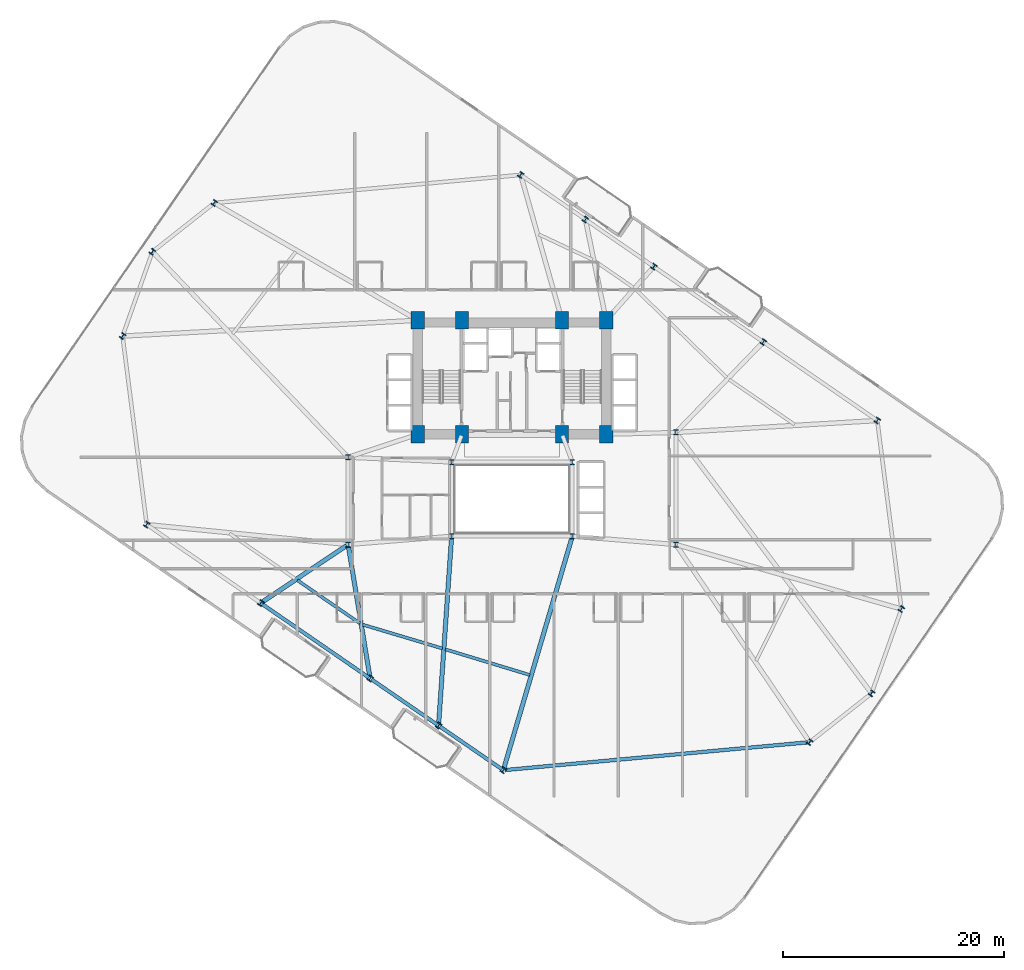
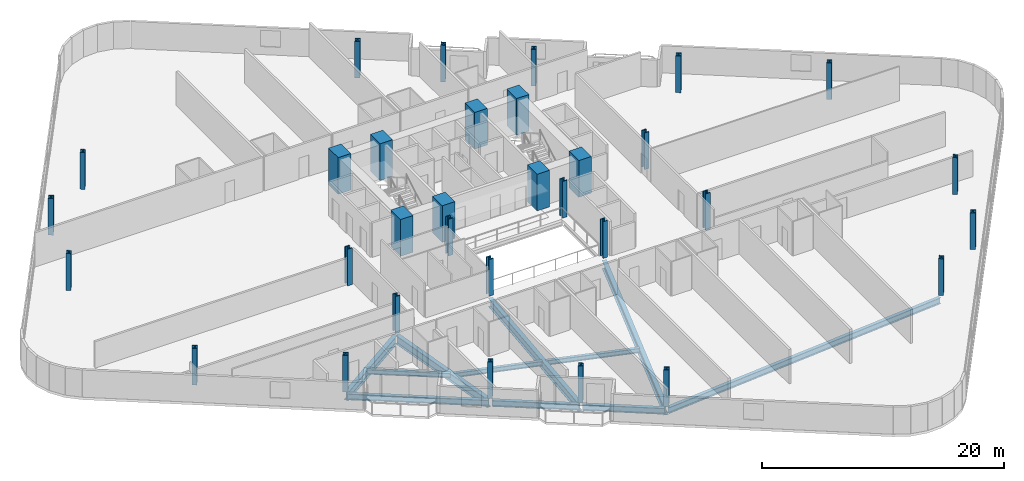
# One storey, part 1 of 25: 32 columns, 11 beams.
"""IFC4 building model written with IfcOpenShell, lengths in metres."""

from ifc_helpers import new_model, si_unit, direction, frame, origin, origin_2d, place, context, subcontext, project, spatial, rectangle, i_section, extrude, material, material_profile, profile_set, type_object, element, save


model = new_model("IFC4")

# Units and contexts
model_context = context("Model", 3, precision=1e-05, world=origin(), true_north=direction((0.0, 1.0)))
body_context = subcontext(model_context, "Body", "Model", "MODEL_VIEW")
ifc_project = project(units=[si_unit("LENGTHUNIT", "METRE"), si_unit("AREAUNIT", "SQUARE_METRE"), si_unit("VOLUMEUNIT", "CUBIC_METRE"), si_unit("PLANEANGLEUNIT", "RADIAN"), si_unit("MASSUNIT", "GRAM", prefix="KILO")], contexts=[model_context])

# Site, building, storey
site_placement = place(None, origin())
site = spatial("IfcSite", under=ifc_project, at=site_placement, CompositionType="ELEMENT")
building_placement = place(site_placement, origin())
building = spatial("IfcBuilding", under=site, at=building_placement, Name="Varnelok Gate Tower", CompositionType="ELEMENT")
storey_placement = place(building_placement, frame((0.0, 0.0, 64.0)))
storey = spatial("IfcBuildingStorey", under=building, at=storey_placement, Name="L15", CompositionType="ELEMENT", Elevation=64.0)

# Columns
ifc_material_1 = material(Name="Concrete C70/85", Category="concrete")
ifc_material_profile_1 = material_profile(ifc_material_1, rectangle(XDim=1.199951171875, YDim=1.60009765625, at=origin_2d()), Name="RC1600X1200")
ifc_profile_set_1 = profile_set([ifc_material_profile_1], Name="Concrete C70/85")
column_type_1 = type_object("IfcColumnType", Name="COL-RC1600X1200", PredefinedType="COLUMN", material=ifc_profile_set_1)
for number, where, z_axis, x_axis, name in (
    (1, (30.699951171875, 28.75, 0.0), (0.0, 0.0, 1.0), (1.0, 0.0, 0.0), "L15 Core Spine Column SC1"),
    (2, (34.679931640625, 28.75, 0.0), (0.0, 0.0, 1.0), (1.0, 0.0, 0.0), "L15 Core Spine Column SC2"),
    (3, (43.719970703125, 28.75, 0.0), (0.0, 0.0, 1.0), (1.0, 0.0, 0.0), "L15 Core Spine Column SC3"),
    (4, (47.699951171875, 28.75, 0.0), (0.0, 0.0, 1.0), (1.0, 0.0, 0.0), "L15 Core Spine Column SC4"),
    (5, (30.699951171875, 39.050048828125, 0.0), (0.0, 0.0, 1.0), (1.0, 0.0, 0.0), "L15 Core Spine Column SC5"),
    (6, (34.679931640625, 39.050048828125, 0.0), (0.0, 0.0, 1.0), (1.0, 0.0, 0.0), "L15 Core Spine Column SC6"),
    (7, (43.719970703125, 39.050048828125, 0.0), (0.0, 0.0, 1.0), (1.0, 0.0, 0.0), "L15 Core Spine Column SC7"),
    (8, (47.699951171875, 39.050048828125, 0.0), (0.0, 0.0, 1.0), (1.0, 0.0, 0.0), "L15 Core Spine Column SC8"),
):
    element("IfcColumn", number, at=place(storey_placement, frame(where, z_axis=z_axis, x_axis=x_axis)), inside=storey, type_object=column_type_1, Name=name, PredefinedType="COLUMN", context=body_context, shape_type="SweptSolid", body=[
        extrude(rectangle(XDim=1.199951171875, YDim=1.60009765625, at=origin_2d()), origin(), (0.0, 0.0, 1.0), 3.699951171875),
    ])
ifc_material_2 = material(Name="Structural Steel ASTM A992 Grade 50", Category="steel")
ifc_material_profile_2 = material_profile(ifc_material_2, i_section(OverallWidth=0.431884765625, OverallDepth=0.498046875, WebThickness=0.0556640625, FlangeThickness=0.0888671875, FilletRadius=0.02490234375, at=origin_2d()), Name="W14X500")
ifc_profile_set_2 = profile_set([ifc_material_profile_2], Name="Structural Steel ASTM A992 Grade 50")
column_type_2 = type_object("IfcColumnType", Name="COL-W14X500", PredefinedType="COLUMN", material=ifc_profile_set_2)
for number, where, z_axis, x_axis, name in (
    (9, (33.75, 19.550048828125, 0.0), (0.0, 0.0, 1.0), (1.0, 0.0, 0.0), "L15 Atrium Spine Column AC1"),
    (10, (44.64990234375, 19.550048828125, 0.0), (0.0, 0.0, 1.0), (1.0, 0.0, 0.0), "L15 Atrium Spine Column AC2"),
    (11, (33.75, 26.25, 0.0), (0.0, 0.0, 1.0), (1.0, 0.0, 0.0), "L15 Atrium Spine Column AC3"),
    (12, (44.64990234375, 26.25, 0.0), (0.0, 0.0, 1.0), (1.0, 0.0, 0.0), "L15 Atrium Spine Column AC4"),
    (13, (24.39990234375, 18.800048828125, 0.0), (0.0, 0.0, 1.0), (1.0, 0.0, 0.0), "L15 Wing Spine Column WS1"),
    (14, (24.39990234375, 26.679931640625, 0.0), (0.0, 0.0, 1.0), (1.0, 0.0, 0.0), "L15 Wing Spine Column WS2"),
    (15, (54.0, 18.800048828125, 0.0), (0.0, 0.0, 1.0), (1.0, 0.0, 0.0), "L15 Wing Spine Column ES1"),
    (16, (54.0, 28.919921875, 0.0), (0.0, 0.0, 1.0), (1.0, 0.0, 0.0), "L15 Wing Spine Column ES2"),
    (17, (6.214599609375, 20.602783203125, 0.0), (0.0, 0.0, 1.0), (0.823532597628, -0.567268949127, 0.0), "L15 B1 Perimeter Column PC01"),
    (18, (16.5087890625, 13.511962890625, 0.0), (0.0, 0.0, 1.0), (0.823532597628, -0.567268949127, 0.0), "L15 B1 Perimeter Column PC02"),
    (19, (26.39111328125, 6.70458984375, 0.0), (0.0, 0.0, 1.0), (0.823532597628, -0.567268949127, 0.0), "L15 B1 Perimeter Column PC03"),
    (20, (32.567626953125, 2.4501953125, 0.0), (0.0, 0.0, 1.0), (0.823532597628, -0.567268949127, 0.0), "L15 B1 Perimeter Column PC04"),
    (21, (38.41455078125, -1.577392578125, 0.0), (0.0, 0.0, 1.0), (0.823532597628, -0.567268949127, 0.0), "L15 B1 Perimeter Column PC05"),
    (22, (66.084716796875, 0.95263671875, 0.0), (0.0, 0.0, 1.0), (0.823532597628, -0.567268949127, 0.0), "L15 B1 Perimeter Column PC06"),
    (23, (71.669921875, 5.362548828125, 0.0), (0.0, 0.0, 1.0), (0.823532597628, -0.567268949127, 0.0), "L15 B1 Perimeter Column PC07"),
    (24, (74.366943359375, 12.976318359375, 0.0), (0.0, 0.0, 1.0), (0.823532597628, -0.567268949127, 0.0), "L15 B1 Perimeter Column PC08"),
    (25, (72.185546875, 29.997314453125, 0.0), (0.0, 0.0, 1.0), (0.823532597628, -0.567268949127, 0.0), "L15 B1 Perimeter Column PC09"),
    (26, (61.891357421875, 37.088134765625, 0.0), (0.0, 0.0, 1.0), (0.823532597628, -0.567268949127, 0.0), "L15 B1 Perimeter Column PC10"),
    (27, (52.0087890625, 43.8955078125, 0.0), (0.0, 0.0, 1.0), (0.823532597628, -0.567268949127, 0.0), "L15 B1 Perimeter Column PC11"),
    (28, (45.83251953125, 48.14990234375, 0.0), (0.0, 0.0, 1.0), (0.823532597628, -0.567268949127, 0.0), "L15 B1 Perimeter Column PC12"),
    (29, (39.9853515625, 52.177490234375, 0.0), (0.0, 0.0, 1.0), (0.823532597628, -0.567268949127, 0.0), "L15 B1 Perimeter Column PC13"),
    (30, (12.315185546875, 49.6474609375, 0.0), (0.0, 0.0, 1.0), (0.823532597628, -0.567268949127, 0.0), "L15 B1 Perimeter Column PC14"),
    (31, (6.72998046875, 45.237548828125, 0.0), (0.0, 0.0, 1.0), (0.823532597628, -0.567268949127, 0.0), "L15 B1 Perimeter Column PC15"),
    (32, (4.033203125, 37.623779296875, 0.0), (0.0, 0.0, 1.0), (0.823532597628, -0.567268949127, 0.0), "L15 B1 Perimeter Column PC16"),
):
    element("IfcColumn", number, at=place(storey_placement, frame(where, z_axis=z_axis, x_axis=x_axis)), inside=storey, type_object=column_type_2, Name=name, PredefinedType="COLUMN", context=body_context, shape_type="SweptSolid", body=[
        extrude(i_section(OverallWidth=0.431884765625, OverallDepth=0.498046875, WebThickness=0.0556640625, FlangeThickness=0.0888671875, FilletRadius=0.02490234375, at=origin_2d()), origin(), (0.0, 0.0, 1.0), 3.699951171875),
    ])

# Beams
ifc_material_profile_3 = material_profile(ifc_material_2, i_section(OverallWidth=0.280029296875, OverallDepth=0.462890625, WebThickness=0.0107421875, FlangeThickness=0.017333984375, FilletRadius=0.014892578125, at=origin_2d()), Name="W18X76")
ifc_profile_set_3 = profile_set([ifc_material_profile_3], Name="Structural Steel ASTM A992 Grade 50")
beam_type_1 = type_object("IfcBeamType", Name="BM-JST-W18X76", PredefinedType="JOIST", material=ifc_profile_set_3)
beam_1_placement = place(storey_placement, frame((19.820068359375, 15.57421875, -0.4814453125), z_axis=(0.823522379693, -0.567283782727, 0.0), x_axis=(0.567283782727, 0.823522379693, 0.0)))
element("IfcBeam", 33, at=beam_1_placement, inside=storey, type_object=beam_type_1, Name="L15 Sector Floor Joist 2", PredefinedType="JOIST", context=body_context, shape_type="SweptSolid", body=[
    extrude(i_section(OverallWidth=0.280029296875, OverallDepth=0.462890625, WebThickness=0.0107421875, FlangeThickness=0.017333984375, FilletRadius=0.014892578125, at=origin_2d()), origin(), (0.0, 0.0, 1.0), 6.860107421875),
])
beam_2_placement = place(storey_placement, frame((25.718994140625, 11.563232421875, -0.4814453125), z_axis=(0.958203180406, -0.286088561568, 0.0), x_axis=(0.286088561568, 0.958203180406, 0.0)))
element("IfcBeam", 34, at=beam_2_placement, inside=storey, type_object=beam_type_1, Name="L15 Sector Floor Joist 3", PredefinedType="JOIST", context=body_context, shape_type="SweptSolid", body=[
    extrude(i_section(OverallWidth=0.280029296875, OverallDepth=0.462890625, WebThickness=0.0107421875, FlangeThickness=0.017333984375, FilletRadius=0.014892578125, at=origin_2d()), origin(), (0.0, 0.0, 1.0), 7.507080078125),
])
beam_3_placement = place(storey_placement, frame((33.180419921875, 9.3349609375, -0.4814453125), z_axis=(0.956869931833, -0.290516666568, 0.0), x_axis=(0.290516666568, 0.956869931833, 0.0)))
element("IfcBeam", 35, at=beam_3_placement, inside=storey, type_object=beam_type_1, Name="L15 Sector Floor Joist 4", PredefinedType="JOIST", context=body_context, shape_type="SweptSolid", body=[
    extrude(i_section(OverallWidth=0.280029296875, OverallDepth=0.462890625, WebThickness=0.0107421875, FlangeThickness=0.017333984375, FilletRadius=0.014892578125, at=origin_2d()), origin(), (0.0, 0.0, 1.0), 7.96923828125),
])
ifc_material_profile_4 = material_profile(ifc_material_2, i_section(OverallWidth=0.39892578125, OverallDepth=0.85498046875, WebThickness=0.018310546875, FlangeThickness=0.029296875, FilletRadius=0.02392578125, at=origin_2d()), Name="W33X201")
ifc_profile_set_4 = profile_set([ifc_material_profile_4], Name="Structural Steel ASTM A992 Grade 50")
beam_type_2 = type_object("IfcBeamType", Name="BM-PRI-W33X201", PredefinedType="BEAM", material=ifc_profile_set_4)
beam_4_placement = place(storey_placement, frame((24.275390625, 18.716552734375, -0.677490234375), z_axis=(-0.830725059098, -0.556682922485, 0.0), x_axis=(0.556682922485, -0.830725059098, 0.0)))
element("IfcBeam", 36, at=beam_4_placement, inside=storey, type_object=beam_type_2, Name="L15 Radial Floor Girder 2", PredefinedType="BEAM", context=body_context, shape_type="SweptSolid", body=[
    extrude(i_section(OverallWidth=0.39892578125, OverallDepth=0.85498046875, WebThickness=0.018310546875, FlangeThickness=0.029296875, FilletRadius=0.02392578125, at=origin_2d()), origin(), (0.0, 0.0, 1.0), 9.19921875),
])
beam_5_placement = place(storey_placement, frame((24.42431640625, 18.652099609375, -0.677490234375), z_axis=(0.162428802214, -0.986720266444, 0.0), x_axis=(0.986720266444, 0.162428802214, 0.0)))
element("IfcBeam", 37, at=beam_5_placement, inside=storey, type_object=beam_type_2, Name="L15 Radial Floor Girder 3", PredefinedType="BEAM", context=body_context, shape_type="SweptSolid", body=[
    extrude(i_section(OverallWidth=0.39892578125, OverallDepth=0.85498046875, WebThickness=0.018310546875, FlangeThickness=0.029296875, FilletRadius=0.02392578125, at=origin_2d()), origin(), (0.0, 0.0, 1.0), 11.958251953125),
])
beam_6_placement = place(storey_placement, frame((33.73974609375, 19.400390625, -0.677490234375), z_axis=(-0.068990652765, -0.997617306301, 0.0), x_axis=(0.997617306301, -0.068990652765, 0.0)))
element("IfcBeam", 38, at=beam_6_placement, inside=storey, type_object=beam_type_2, Name="L15 Radial Floor Girder 4", PredefinedType="BEAM", context=body_context, shape_type="SweptSolid", body=[
    extrude(i_section(OverallWidth=0.39892578125, OverallDepth=0.85498046875, WebThickness=0.018310546875, FlangeThickness=0.029296875, FilletRadius=0.02392578125, at=origin_2d()), origin(), (0.0, 0.0, 1.0), 16.8408203125),
])
beam_7_placement = place(storey_placement, frame((44.607421875, 19.406005859375, -0.677490234375), z_axis=(-0.283059829362, -0.959102253673, 0.0), x_axis=(0.959102253673, -0.283059829362, 0.0)))
element("IfcBeam", 39, at=beam_7_placement, inside=storey, type_object=beam_type_2, Name="L15 Radial Floor Girder 5", PredefinedType="BEAM", context=body_context, shape_type="SweptSolid", body=[
    extrude(i_section(OverallWidth=0.39892578125, OverallDepth=0.85498046875, WebThickness=0.018310546875, FlangeThickness=0.029296875, FilletRadius=0.02392578125, at=origin_2d()), origin(), (0.0, 0.0, 1.0), 21.728271484375),
])
ifc_material_profile_5 = material_profile(ifc_material_2, i_section(OverallWidth=0.323974609375, OverallDepth=0.611083984375, WebThickness=0.0126953125, FlangeThickness=0.01904296875, FilletRadius=0.01806640625, at=origin_2d()), Name="W24X104")
ifc_profile_set_5 = profile_set([ifc_material_profile_5], Name="Structural Steel ASTM A992 Grade 50")
beam_type_3 = type_object("IfcBeamType", Name="BM-SPN-W24X104", PredefinedType="SPANDREL", material=ifc_profile_set_5)
beam_8_placement = place(storey_placement, frame((16.632080078125, 13.4267578125, -0.555419921875), z_axis=(0.823540527698, -0.567257436478, 0.0), x_axis=(0.567257436478, 0.823540527698, 0.0)))
element("IfcBeam", 40, at=beam_8_placement, inside=storey, type_object=beam_type_3, Name="L15 Perimeter Spandrel Beam 2", PredefinedType="SPANDREL", context=body_context, shape_type="SweptSolid", body=[
    extrude(i_section(OverallWidth=0.323974609375, OverallDepth=0.611083984375, WebThickness=0.0126953125, FlangeThickness=0.01904296875, FilletRadius=0.01806640625, at=origin_2d()), origin(), (0.0, 0.0, 1.0), 11.7001953125),
])
beam_9_placement = place(storey_placement, frame((26.5146484375, 6.619384765625, -0.555419921875), z_axis=(0.823539986654, -0.56725822196, 0.0), x_axis=(0.56725822196, 0.823539986654, 0.0)))
element("IfcBeam", 41, at=beam_9_placement, inside=storey, type_object=beam_type_3, Name="L15 Perimeter Spandrel Beam 3", PredefinedType="SPANDREL", context=body_context, shape_type="SweptSolid", body=[
    extrude(i_section(OverallWidth=0.323974609375, OverallDepth=0.611083984375, WebThickness=0.0126953125, FlangeThickness=0.01904296875, FilletRadius=0.01806640625, at=origin_2d()), origin(), (0.0, 0.0, 1.0), 7.199951171875),
])
beam_10_placement = place(storey_placement, frame((32.691162109375, 2.364990234375, -0.555419921875), z_axis=(0.823525119645, -0.567279805135, 0.0), x_axis=(0.567279805135, 0.823525119645, 0.0)))
element("IfcBeam", 42, at=beam_10_placement, inside=storey, type_object=beam_type_3, Name="L15 Perimeter Spandrel Beam 4", PredefinedType="SPANDREL", context=body_context, shape_type="SweptSolid", body=[
    extrude(i_section(OverallWidth=0.323974609375, OverallDepth=0.611083984375, WebThickness=0.0126953125, FlangeThickness=0.01904296875, FilletRadius=0.01806640625, at=origin_2d()), origin(), (0.0, 0.0, 1.0), 6.7998046875),
])
beam_11_placement = place(storey_placement, frame((38.56396484375, -1.563720703125, -0.555419921875), z_axis=(0.995845891963, 0.091054705864, 0.0), x_axis=(-0.091054705864, 0.995845891963, 0.0)))
element("IfcBeam", 43, at=beam_11_placement, inside=storey, type_object=beam_type_3, Name="L15 Perimeter Spandrel Beam 5", PredefinedType="SPANDREL", context=body_context, shape_type="SweptSolid", body=[
    extrude(i_section(OverallWidth=0.323974609375, OverallDepth=0.611083984375, WebThickness=0.0126953125, FlangeThickness=0.01904296875, FilletRadius=0.01806640625, at=origin_2d()), origin(), (0.0, 0.0, 1.0), 27.485595703125),
])

save(model, "model.ifc")
